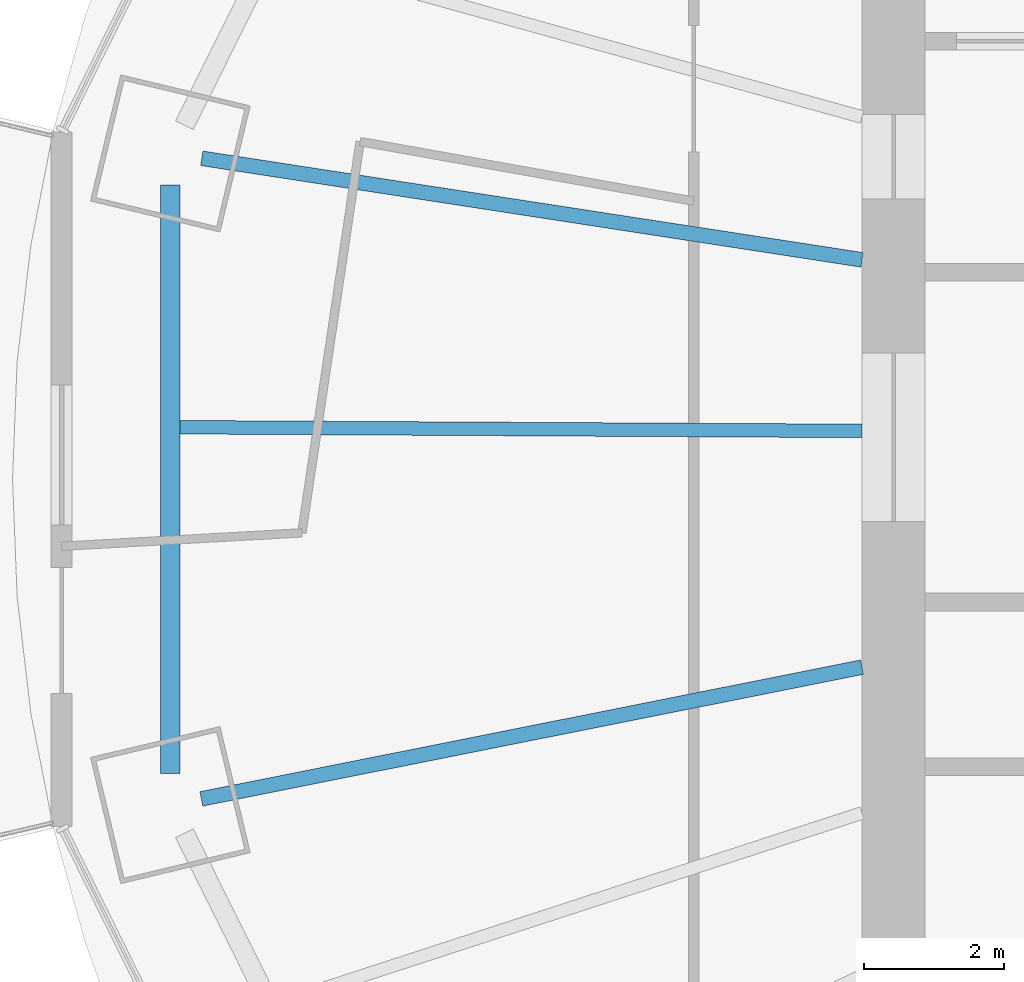
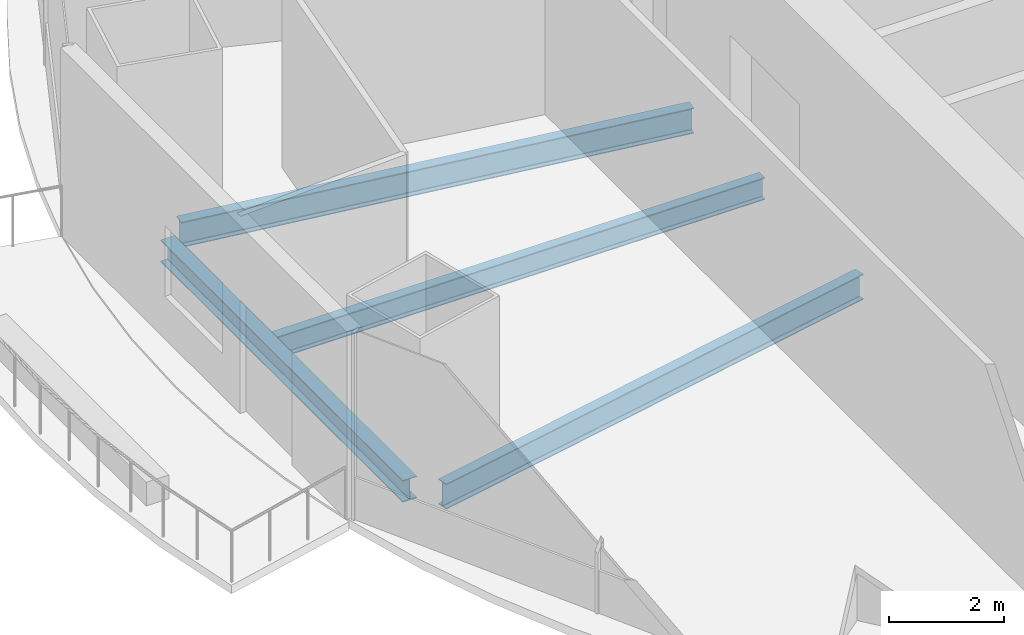
# One storey, part 3 of 19: 4 beams.
"""IFC4 building model written with IfcOpenShell, lengths in metres."""

from ifc_helpers import new_model, si_unit, direction, frame, origin, origin_2d, place, context, subcontext, project, spatial, i_section, extrude, material, material_profile, profile_set, type_object, element, save


model = new_model("IFC4")

# Units and contexts
model_context = context("Model", 3, precision=1e-05, world=origin(), true_north=direction((0.0, 1.0)))
body_context = subcontext(model_context, "Body", "Model", "MODEL_VIEW")
ifc_project = project(units=[si_unit("LENGTHUNIT", "METRE"), si_unit("AREAUNIT", "SQUARE_METRE"), si_unit("VOLUMEUNIT", "CUBIC_METRE"), si_unit("PLANEANGLEUNIT", "RADIAN"), si_unit("MASSUNIT", "GRAM", prefix="KILO")], contexts=[model_context])

# Site, building, storey
site_placement = place(None, origin())
site = spatial("IfcSite", under=ifc_project, at=site_placement, CompositionType="ELEMENT")
building_placement = place(site_placement, origin())
building = spatial("IfcBuilding", under=site, at=building_placement, Name="Marenthal Gate Tower", CompositionType="ELEMENT")
storey_placement = place(building_placement, frame((0.0, 0.0, 235.75)))
storey = spatial("IfcBuildingStorey", under=building, at=storey_placement, Name="L52", CompositionType="ELEMENT", Elevation=235.75)

# Beams
ifc_material_1 = material(Name="Steel S355", Category="steel")
ifc_material_profile_1 = material_profile(ifc_material_1, i_section(OverallWidth=0.279052734375, OverallDepth=0.4619140625, WebThickness=0.0107421875, FlangeThickness=0.017333984375, FilletRadius=0.010009765625, at=origin_2d()), Name="W460X113")
ifc_profile_set_1 = profile_set([ifc_material_profile_1], Name="Steel S355")
beam_type_1 = type_object("IfcBeamType", Name="W460X113 beam", PredefinedType="BEAM", material=ifc_profile_set_1)
beam_1_placement = place(storey_placement, frame((-26.314208984375, 3.595703125, -0.410888671875), z_axis=(0.0, -1.0, 0.0), x_axis=(1.0, 0.0, 0.0)))
element("IfcBeam", 1, at=beam_1_placement, inside=storey, type_object=beam_type_1, Name="BM-L52-48", PredefinedType="BEAM", context=body_context, shape_type="SweptSolid", body=[
    extrude(i_section(OverallWidth=0.279052734375, OverallDepth=0.4619140625, WebThickness=0.0107421875, FlangeThickness=0.017333984375, FilletRadius=0.010009765625, at=origin_2d()), origin(), (0.0, 0.0, 1.0), 8.3916015625),
])
ifc_material_2 = material(Name="Steel S355", Category="steel")
ifc_material_profile_2 = material_profile(ifc_material_2, i_section(OverallWidth=0.193115234375, OverallDepth=0.467041015625, WebThickness=0.011474609375, FlangeThickness=0.01904296875, FilletRadius=0.010009765625, at=origin_2d()), Name="W460X97")
ifc_profile_set_2 = profile_set([ifc_material_profile_2], Name="Steel S355")
beam_type_2 = type_object("IfcBeamType", Name="W460X97 beam", PredefinedType="BEAM", material=ifc_profile_set_2)
beam_2_placement = place(storey_placement, frame((-26.1748046875, 0.142578125, -0.41357421875), z_axis=(0.999985161371, -0.005447663496, 0.0), x_axis=(0.005447663496, 0.999985161371, 0.0)))
element("IfcBeam", 2, at=beam_2_placement, inside=storey, type_object=beam_type_2, Name="BM-L52-28", PredefinedType="BEAM", context=body_context, shape_type="SweptSolid", body=[
    extrude(i_section(OverallWidth=0.193115234375, OverallDepth=0.467041015625, WebThickness=0.011474609375, FlangeThickness=0.01904296875, FilletRadius=0.010009765625, at=origin_2d()), origin(), (0.0, 0.0, 1.0), 9.72509765625),
])
ifc_material_3 = material(Name="Steel S355", Category="steel")
ifc_material_profile_3 = material_profile(ifc_material_3, i_section(OverallWidth=0.2099609375, OverallDepth=0.535888671875, WebThickness=0.010986328125, FlangeThickness=0.017333984375, FilletRadius=0.0126953125, at=origin_2d()), Name="W530X101")
ifc_profile_set_3 = profile_set([ifc_material_profile_3], Name="Steel S355")
beam_type_3 = type_object("IfcBeamType", Name="W530X101 beam", PredefinedType="BEAM", material=ifc_profile_set_3)
beam_3_placement = place(storey_placement, frame((-25.8662109375, 3.97802734375, -0.447998046875), z_axis=(0.988378214398, -0.152014819358, 0.0), x_axis=(0.152014819358, 0.988378214398, 0.0)))
element("IfcBeam", 3, at=beam_3_placement, inside=storey, type_object=beam_type_3, Name="BM-L52-08", PredefinedType="BEAM", context=body_context, shape_type="SweptSolid", body=[
    extrude(i_section(OverallWidth=0.2099609375, OverallDepth=0.535888671875, WebThickness=0.010986328125, FlangeThickness=0.017333984375, FilletRadius=0.0126953125, at=origin_2d()), origin(), (0.0, 0.0, 1.0), 9.527099609375),
])
beam_4_placement = place(storey_placement, frame((-25.872314453125, -5.15869140625, -0.447998046875), z_axis=(0.980696805639, 0.19553458878, 0.0), x_axis=(-0.19553458878, 0.980696805639, 0.0)))
element("IfcBeam", 4, at=beam_4_placement, inside=storey, type_object=beam_type_3, Name="BM-L52-09", PredefinedType="BEAM", context=body_context, shape_type="SweptSolid", body=[
    extrude(i_section(OverallWidth=0.2099609375, OverallDepth=0.535888671875, WebThickness=0.010986328125, FlangeThickness=0.017333984375, FilletRadius=0.0126953125, at=origin_2d()), origin(), (0.0, 0.0, 1.0), 9.60791015625),
])

save(model, "model.ifc")
